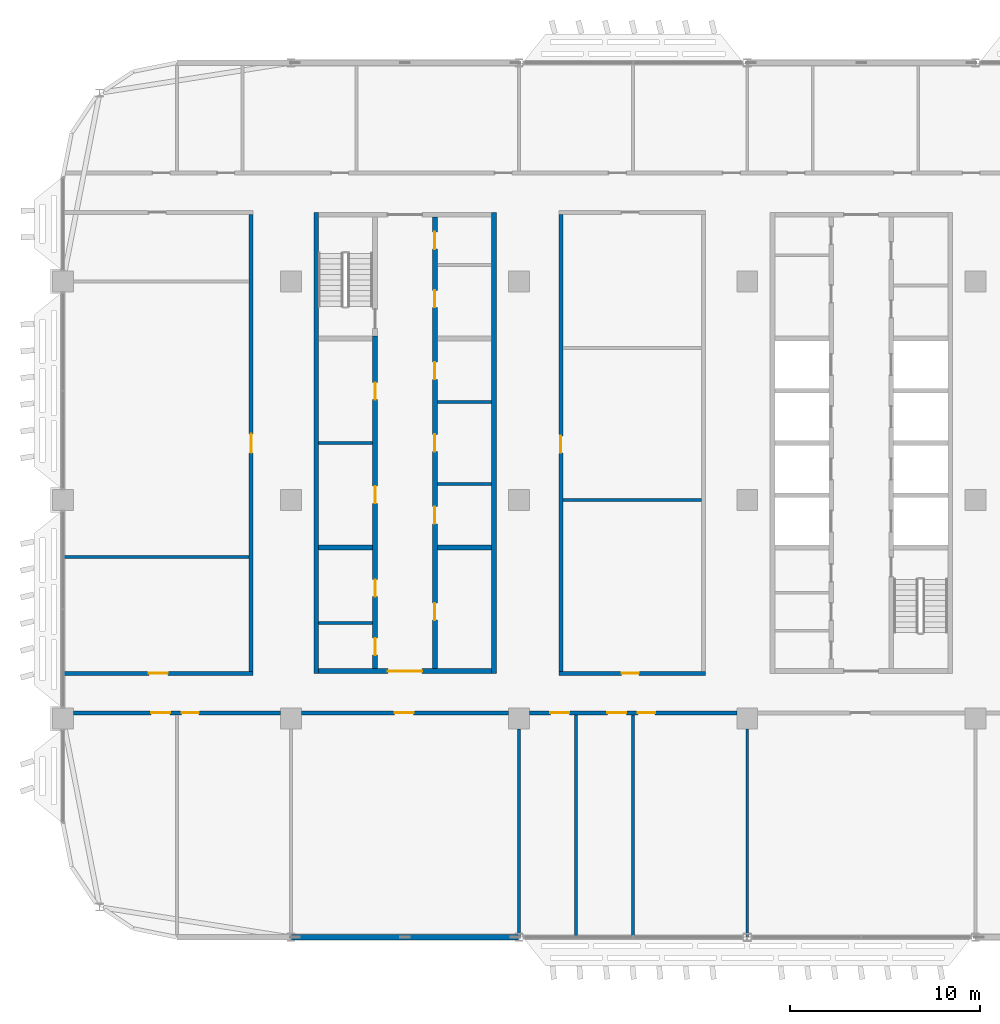
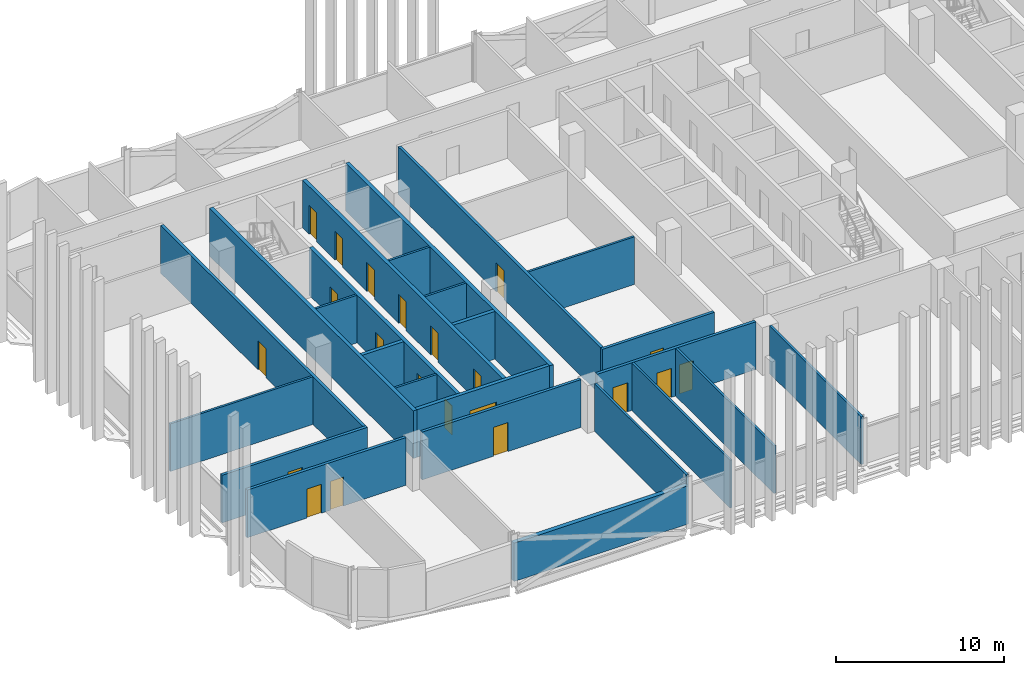
# One storey, part 13 of 30: 25 walls, 21 doors, 21 openings.
"""IFC4 building model written with IfcOpenShell, lengths in metres."""

from ifc_helpers import new_model, si_unit, direction, frame, frame_2d, origin, place, context, subcontext, project, spatial, rectangle, extrude, material, layer, layer_set, type_object, element, fill, save


model = new_model("IFC4")

# Units and contexts
model_context = context("Model", 3, precision=1e-05, world=origin(), true_north=direction((0.0, 1.0)))
body_context = subcontext(model_context, "Body", "Model", "MODEL_VIEW")
ifc_project = project(units=[si_unit("LENGTHUNIT", "METRE"), si_unit("AREAUNIT", "SQUARE_METRE"), si_unit("VOLUMEUNIT", "CUBIC_METRE"), si_unit("PLANEANGLEUNIT", "RADIAN"), si_unit("MASSUNIT", "GRAM", prefix="KILO")], contexts=[model_context])

# Site, building, storey
site_placement = place(None, origin())
site = spatial("IfcSite", under=ifc_project, at=site_placement, CompositionType="ELEMENT")
building_placement = place(site_placement, origin())
building = spatial("IfcBuilding", under=site, at=building_placement, Name="Mahtab Terrace Research Tower", CompositionType="ELEMENT")
storey_placement = place(building_placement, frame((0.0, 0.0, 209.10009765625)))
storey = spatial("IfcBuildingStorey", under=building, at=storey_placement, Name="L50", CompositionType="ELEMENT", Elevation=209.10009765625)

# Walls
ifc_material_1 = material(Name="Gypsum board partition")
ifc_layer_1 = layer(ifc_material_1, 0.14990234375)
ifc_layer_set_1 = layer_set([ifc_layer_1], Name="Core partition 150")
wall_type_1 = type_object("IfcWallType", Name="Core partition 150", PredefinedType="PARTITIONING", material=ifc_layer_set_1)
for number, where, z_axis, x_axis, name in (
    (1, (-28.550048828125, 3.0, 0.0), (0.0, 0.0, 1.0), (1.0, 0.0, 0.0), "Core wall A pWL0"),
    (2, (-22.300048828125, 0.85009765625, 0.0), (0.0, 0.0, 1.0), (1.0, 0.0, 0.0), "Core wall A pEL-215"),
    (3, (-22.300048828125, 5.14990234375, 0.0), (0.0, 0.0, 1.0), (1.0, 0.0, 0.0), "Core wall A pEL215"),
    (4, (-28.550048828125, -6.47509765625, 0.0), (0.0, 0.0, 1.0), (1.0, 0.0, 0.0), "Core wall A pWS-948"),
):
    element("IfcWall", number, at=place(storey_placement, frame(where, z_axis=z_axis, x_axis=x_axis)), inside=storey, type_object=wall_type_1, Name=name, PredefinedType="PARTITIONING", context=body_context, shape_type="SweptSolid", body=[
        extrude(rectangle(XDim=2.85009765625, YDim=0.14990234375, at=frame_2d((1.425048828125, 0.0))), origin(), (0.0, 0.0, 1.0), 3.4599609375),
    ])
ifc_material_2 = material(Name="Concrete C70/85", Category="concrete")
ifc_layer_2 = layer(ifc_material_2, 0.25)
ifc_layer_set_2 = layer_set([ifc_layer_2], Name="Core wall 250")
wall_type_2 = type_object("IfcWallType", Name="Core wall 250", PredefinedType="SOLIDWALL", material=ifc_layer_set_2)
for number, where, z_axis, x_axis, name in (
    (5, (-28.675048828125, 15.125, 0.0), (0.0, 0.0, 1.0), (0.0, -1.0, 0.0), "Core wall A outerW"),
    (6, (-19.324951171875, -9.125, 0.0), (0.0, 0.0, 1.0), (0.0, 1.0, 0.0), "Core wall A outerE"),
):
    element("IfcWall", number, at=place(storey_placement, frame(where, z_axis=z_axis, x_axis=x_axis)), inside=storey, type_object=wall_type_2, Name=name, PredefinedType="SOLIDWALL", context=body_context, shape_type="SweptSolid", body=[
        extrude(rectangle(XDim=24.25, YDim=0.25, at=frame_2d((12.125, 0.0))), origin(), (0.0, 0.0, 1.0), 3.4599609375),
    ])

# Wall, opening, door
wall_1_placement = place(storey_placement, frame((-19.449951171875, -9.0, 0.0), z_axis=(0.0, 0.0, 1.0), x_axis=(-1.0, 0.0, 0.0)))
wall_1 = element("IfcWall", 7, at=wall_1_placement, inside=storey, type_object=wall_type_2, Name="Core wall A endS", PredefinedType="SOLIDWALL", context=body_context, shape_type="SweptSolid", body=[
    extrude(rectangle(XDim=9.10009765625, YDim=0.25, at=frame_2d((4.550048828125, 0.0))), origin(), (0.0, 0.0, 1.0), 3.4599609375),
])
opening_1_placement = place(wall_1_placement, frame((3.64990234375, 0.0, 0.0)))
opening_1 = element("IfcOpeningElement", 8, at=opening_1_placement, cuts=wall_1, Name="Opening A-S1", PredefinedType="OPENING", context=body_context, shape_type="SweptSolid", body=[
    extrude(rectangle(XDim=1.800048828125, YDim=2.10009765625, at=frame_2d((0.89990234375, 1.050048828125))), frame((0.0, 0.135009765625, 0.0), z_axis=(0.0, -1.0, 0.0), x_axis=(1.0, 0.0, 0.0)), (0.0, 0.0, 1.0), 0.27001953125),
])
ifc_material_3 = material(Name="Steel fire door", Category="steel")
door_type_1 = type_object("IfcDoorType", Name="Lobby double door 1800x2100 1 HR", OperationType="DOUBLE_DOOR_SINGLE_SWING", PredefinedType="DOOR", material=ifc_material_3)
door_1_placement = place(opening_1_placement, origin())
door_1 = element("IfcDoor", 9, at=door_1_placement, inside=storey, type_object=door_type_1, Name="Core entrance door A S", OperationType="DOUBLE_DOOR_SINGLE_SWING", OverallHeight=2.10009765625, OverallWidth=1.800048828125, PredefinedType="DOOR", context=body_context, shape_type="SweptSolid", body=[
    extrude(rectangle(XDim=1.800048828125, YDim=2.10009765625, at=frame_2d((0.89990234375, 1.050048828125))), frame((0.0, 0.02490234375, 0.0), z_axis=(0.0, -1.0, 0.0), x_axis=(1.0, 0.0, 0.0)), (0.0, 0.0, 1.0), 0.050048828125),
])
fill(opening_1, door_1)

# Wall, openings, doors
wall_2_placement = place(storey_placement, frame((-25.574951171875, -8.875, 0.0), z_axis=(0.0, 0.0, 1.0), x_axis=(0.0, 1.0, 0.0)))
wall_2 = element("IfcWall", 10, at=wall_2_placement, inside=storey, type_object=wall_type_2, Name="Core wall A innerWSL", PredefinedType="SOLIDWALL", context=body_context, shape_type="SweptSolid", body=[
    extrude(rectangle(XDim=17.5, YDim=0.25, at=frame_2d((8.75, 0.0))), origin(), (0.0, 0.0, 1.0), 3.4599609375),
])
opening_2_placement = place(wall_2_placement, frame((8.699951171875, 0.0, 0.0)))
opening_2 = element("IfcOpeningElement", 11, at=opening_2_placement, cuts=wall_2, Name="Opening A-R1", PredefinedType="OPENING", context=body_context, shape_type="SweptSolid", body=[
    extrude(rectangle(XDim=0.89990234375, YDim=2.10009765625, at=frame_2d((0.449951171875, 1.050048828125))), frame((0.0, 0.135009765625, 0.0), z_axis=(0.0, -1.0, 0.0), x_axis=(1.0, 0.0, 0.0)), (0.0, 0.0, 1.0), 0.27001953125),
])
opening_3_placement = place(wall_2_placement, frame((14.14990234375, 0.0, 0.0)))
opening_3 = element("IfcOpeningElement", 12, at=opening_3_placement, cuts=wall_2, Name="Opening A-R2", PredefinedType="OPENING", context=body_context, shape_type="SweptSolid", body=[
    extrude(rectangle(XDim=0.89990234375, YDim=2.10009765625, at=frame_2d((0.449951171875, 1.050048828125))), frame((0.0, 0.135009765625, 0.0), z_axis=(0.0, -1.0, 0.0), x_axis=(1.0, 0.0, 0.0)), (0.0, 0.0, 1.0), 0.27001953125),
])
opening_4_placement = place(wall_2_placement, frame((0.71240234375, 0.0, 0.0)))
opening_4 = element("IfcOpeningElement", 13, at=opening_4_placement, cuts=wall_2, Name="Opening A-R6", PredefinedType="OPENING", context=body_context, shape_type="SweptSolid", body=[
    extrude(rectangle(XDim=0.89990234375, YDim=2.10009765625, at=frame_2d((0.449951171875, 1.050048828125))), frame((0.0, 0.135009765625, 0.0), z_axis=(0.0, -1.0, 0.0), x_axis=(1.0, 0.0, 0.0)), (0.0, 0.0, 1.0), 0.27001953125),
])
opening_5_placement = place(wall_2_placement, frame((3.78759765625, 0.0, 0.0)))
opening_5 = element("IfcOpeningElement", 14, at=opening_5_placement, cuts=wall_2, Name="Opening A-R7", PredefinedType="OPENING", context=body_context, shape_type="SweptSolid", body=[
    extrude(rectangle(XDim=0.89990234375, YDim=2.10009765625, at=frame_2d((0.449951171875, 1.050048828125))), frame((0.0, 0.135009765625, 0.0), z_axis=(0.0, -1.0, 0.0), x_axis=(1.0, 0.0, 0.0)), (0.0, 0.0, 1.0), 0.27001953125),
])
door_type_2 = type_object("IfcDoorType", Name="Room door 900x2100 1 HR", OperationType="NOTDEFINED", PredefinedType="DOOR", material=ifc_material_3)
door_2_placement = place(opening_2_placement, origin())
door_2 = element("IfcDoor", 15, at=door_2_placement, inside=storey, type_object=door_type_2, Name="Document store door", OperationType="SINGLE_SWING_LEFT", OverallHeight=2.10009765625, OverallWidth=0.89990234375, PredefinedType="DOOR", context=body_context, shape_type="SweptSolid", body=[
    extrude(rectangle(XDim=0.89990234375, YDim=2.10009765625, at=frame_2d((0.449951171875, 1.050048828125))), frame((0.0, 0.02490234375, 0.0), z_axis=(0.0, -1.0, 0.0), x_axis=(1.0, 0.0, 0.0)), (0.0, 0.0, 1.0), 0.050048828125),
])
fill(opening_2, door_2)
door_3_placement = place(opening_3_placement, origin())
door_3 = element("IfcDoor", 16, at=door_3_placement, inside=storey, type_object=door_type_2, Name="IT equipment room door", OperationType="SINGLE_SWING_RIGHT", OverallHeight=2.10009765625, OverallWidth=0.89990234375, PredefinedType="DOOR", context=body_context, shape_type="SweptSolid", body=[
    extrude(rectangle(XDim=0.89990234375, YDim=2.10009765625, at=frame_2d((0.449951171875, 1.050048828125))), frame((0.0, 0.02490234375, 0.0), z_axis=(0.0, -1.0, 0.0), x_axis=(1.0, 0.0, 0.0)), (0.0, 0.0, 1.0), 0.050048828125),
])
fill(opening_3, door_3)
door_4_placement = place(opening_4_placement, origin())
door_4 = element("IfcDoor", 17, at=door_4_placement, inside=storey, type_object=door_type_2, Name="Accessible WC door", OperationType="SINGLE_SWING_RIGHT", OverallHeight=2.10009765625, OverallWidth=0.89990234375, PredefinedType="DOOR", context=body_context, shape_type="SweptSolid", body=[
    extrude(rectangle(XDim=0.89990234375, YDim=2.10009765625, at=frame_2d((0.449951171875, 1.050048828125))), frame((0.0, 0.02490234375, 0.0), z_axis=(0.0, -1.0, 0.0), x_axis=(1.0, 0.0, 0.0)), (0.0, 0.0, 1.0), 0.050048828125),
])
fill(opening_4, door_4)
door_5_placement = place(opening_5_placement, origin())
door_5 = element("IfcDoor", 18, at=door_5_placement, inside=storey, type_object=door_type_2, Name="WC block door", OperationType="SINGLE_SWING_LEFT", OverallHeight=2.10009765625, OverallWidth=0.89990234375, PredefinedType="DOOR", context=body_context, shape_type="SweptSolid", body=[
    extrude(rectangle(XDim=0.89990234375, YDim=2.10009765625, at=frame_2d((0.449951171875, 1.050048828125))), frame((0.0, 0.02490234375, 0.0), z_axis=(0.0, -1.0, 0.0), x_axis=(1.0, 0.0, 0.0)), (0.0, 0.0, 1.0), 0.050048828125),
])
fill(opening_5, door_5)

wall_3_placement = place(storey_placement, frame((-22.425048828125, 14.875, 0.0), z_axis=(0.0, 0.0, 1.0), x_axis=(0.0, -1.0, 0.0)))
wall_3 = element("IfcWall", 19, at=wall_3_placement, inside=storey, type_object=wall_type_2, Name="Core wall A innerESLN", PredefinedType="SOLIDWALL", context=body_context, shape_type="SweptSolid", body=[
    extrude(rectangle(XDim=23.75, YDim=0.25, at=frame_2d((11.875, 0.0))), origin(), (0.0, 0.0, 1.0), 3.4599609375),
])
opening_6_placement = place(wall_3_placement, frame((15.22509765625, 0.0, 0.0)))
opening_6 = element("IfcOpeningElement", 20, at=opening_6_placement, cuts=wall_3, Name="Opening A-R3", PredefinedType="OPENING", context=body_context, shape_type="SweptSolid", body=[
    extrude(rectangle(XDim=0.89990234375, YDim=2.10009765625, at=frame_2d((0.449951171875, 1.050048828125))), frame((0.0, 0.135009765625, 0.0), z_axis=(0.0, -1.0, 0.0), x_axis=(1.0, 0.0, 0.0)), (0.0, 0.0, 1.0), 0.27001953125),
])
opening_7_placement = place(wall_3_placement, frame((11.425048828125, 0.0, 0.0)))
opening_7 = element("IfcOpeningElement", 21, at=opening_7_placement, cuts=wall_3, Name="Opening A-R4", PredefinedType="OPENING", context=body_context, shape_type="SweptSolid", body=[
    extrude(rectangle(XDim=0.89990234375, YDim=2.10009765625, at=frame_2d((0.449951171875, 1.050048828125))), frame((0.0, 0.135009765625, 0.0), z_axis=(0.0, -1.0, 0.0), x_axis=(1.0, 0.0, 0.0)), (0.0, 0.0, 1.0), 0.27001953125),
])
opening_8_placement = place(wall_3_placement, frame((7.625, 0.0, 0.0)))
opening_8 = element("IfcOpeningElement", 22, at=opening_8_placement, cuts=wall_3, Name="Opening A-R5", PredefinedType="OPENING", context=body_context, shape_type="SweptSolid", body=[
    extrude(rectangle(XDim=0.89990234375, YDim=2.10009765625, at=frame_2d((0.449951171875, 1.050048828125))), frame((0.0, 0.135009765625, 0.0), z_axis=(0.0, -1.0, 0.0), x_axis=(1.0, 0.0, 0.0)), (0.0, 0.0, 1.0), 0.27001953125),
])
opening_9_placement = place(wall_3_placement, frame((20.300048828125, 0.0, 0.0)))
opening_9 = element("IfcOpeningElement", 23, at=opening_9_placement, cuts=wall_3, Name="Opening A-R8", PredefinedType="OPENING", context=body_context, shape_type="SweptSolid", body=[
    extrude(rectangle(XDim=0.89990234375, YDim=2.10009765625, at=frame_2d((0.449951171875, 1.050048828125))), frame((0.0, 0.135009765625, 0.0), z_axis=(0.0, -1.0, 0.0), x_axis=(1.0, 0.0, 0.0)), (0.0, 0.0, 1.0), 0.27001953125),
])
opening_10_placement = place(wall_3_placement, frame((3.847412109375, 0.0, 0.0)))
opening_10 = element("IfcOpeningElement", 24, at=opening_10_placement, cuts=wall_3, Name="Opening A-R9", PredefinedType="OPENING", context=body_context, shape_type="SweptSolid", body=[
    extrude(rectangle(XDim=0.89990234375, YDim=2.10009765625, at=frame_2d((0.449951171875, 1.050048828125))), frame((0.0, 0.135009765625, 0.0), z_axis=(0.0, -1.0, 0.0), x_axis=(1.0, 0.0, 0.0)), (0.0, 0.0, 1.0), 0.27001953125),
])
opening_11_placement = place(wall_3_placement, frame((0.7724609375, 0.0, 0.0)))
opening_11 = element("IfcOpeningElement", 25, at=opening_11_placement, cuts=wall_3, Name="Opening A-R10", PredefinedType="OPENING", context=body_context, shape_type="SweptSolid", body=[
    extrude(rectangle(XDim=0.89990234375, YDim=2.10009765625, at=frame_2d((0.449951171875, 1.050048828125))), frame((0.0, 0.135009765625, 0.0), z_axis=(0.0, -1.0, 0.0), x_axis=(1.0, 0.0, 0.0)), (0.0, 0.0, 1.0), 0.27001953125),
])
door_6_placement = place(opening_6_placement, origin())
door_6 = element("IfcDoor", 26, at=door_6_placement, inside=storey, type_object=door_type_2, Name="Electrical room door", OperationType="SINGLE_SWING_LEFT", OverallHeight=2.10009765625, OverallWidth=0.89990234375, PredefinedType="DOOR", context=body_context, shape_type="SweptSolid", body=[
    extrude(rectangle(XDim=0.89990234375, YDim=2.10009765625, at=frame_2d((0.449951171875, 1.050048828125))), frame((0.0, 0.02490234375, 0.0), z_axis=(0.0, -1.0, 0.0), x_axis=(1.0, 0.0, 0.0)), (0.0, 0.0, 1.0), 0.050048828125),
])
fill(opening_6, door_6)
door_7_placement = place(opening_7_placement, origin())
door_7 = element("IfcDoor", 27, at=door_7_placement, inside=storey, type_object=door_type_2, Name="Pantry door", OperationType="SINGLE_SWING_RIGHT", OverallHeight=2.10009765625, OverallWidth=0.89990234375, PredefinedType="DOOR", context=body_context, shape_type="SweptSolid", body=[
    extrude(rectangle(XDim=0.89990234375, YDim=2.10009765625, at=frame_2d((0.449951171875, 1.050048828125))), frame((0.0, 0.02490234375, 0.0), z_axis=(0.0, -1.0, 0.0), x_axis=(1.0, 0.0, 0.0)), (0.0, 0.0, 1.0), 0.050048828125),
])
fill(opening_7, door_7)
door_8_placement = place(opening_8_placement, origin())
door_8 = element("IfcDoor", 28, at=door_8_placement, inside=storey, type_object=door_type_2, Name="Housekeeping store door", OperationType="SINGLE_SWING_LEFT", OverallHeight=2.10009765625, OverallWidth=0.89990234375, PredefinedType="DOOR", context=body_context, shape_type="SweptSolid", body=[
    extrude(rectangle(XDim=0.89990234375, YDim=2.10009765625, at=frame_2d((0.449951171875, 1.050048828125))), frame((0.0, 0.02490234375, 0.0), z_axis=(0.0, -1.0, 0.0), x_axis=(1.0, 0.0, 0.0)), (0.0, 0.0, 1.0), 0.050048828125),
])
fill(opening_8, door_8)
door_9_placement = place(opening_9_placement, origin())
door_9 = element("IfcDoor", 29, at=door_9_placement, inside=storey, type_object=door_type_2, Name="Gas cylinder store door", OperationType="SINGLE_SWING_RIGHT", OverallHeight=2.10009765625, OverallWidth=0.89990234375, PredefinedType="DOOR", context=body_context, shape_type="SweptSolid", body=[
    extrude(rectangle(XDim=0.89990234375, YDim=2.10009765625, at=frame_2d((0.449951171875, 1.050048828125))), frame((0.0, 0.02490234375, 0.0), z_axis=(0.0, -1.0, 0.0), x_axis=(1.0, 0.0, 0.0)), (0.0, 0.0, 1.0), 0.050048828125),
])
fill(opening_9, door_9)
door_10_placement = place(opening_10_placement, origin())
door_10 = element("IfcDoor", 30, at=door_10_placement, inside=storey, type_object=door_type_2, Name="Pantry door", OperationType="SINGLE_SWING_LEFT", OverallHeight=2.10009765625, OverallWidth=0.89990234375, PredefinedType="DOOR", context=body_context, shape_type="SweptSolid", body=[
    extrude(rectangle(XDim=0.89990234375, YDim=2.10009765625, at=frame_2d((0.449951171875, 1.050048828125))), frame((0.0, 0.02490234375, 0.0), z_axis=(0.0, -1.0, 0.0), x_axis=(1.0, 0.0, 0.0)), (0.0, 0.0, 1.0), 0.050048828125),
])
fill(opening_10, door_10)
door_11_placement = place(opening_11_placement, origin())
door_11 = element("IfcDoor", 31, at=door_11_placement, inside=storey, type_object=door_type_2, Name="Linen store door", OperationType="SINGLE_SWING_RIGHT", OverallHeight=2.10009765625, OverallWidth=0.89990234375, PredefinedType="DOOR", context=body_context, shape_type="SweptSolid", body=[
    extrude(rectangle(XDim=0.89990234375, YDim=2.10009765625, at=frame_2d((0.449951171875, 1.050048828125))), frame((0.0, 0.02490234375, 0.0), z_axis=(0.0, -1.0, 0.0), x_axis=(1.0, 0.0, 0.0)), (0.0, 0.0, 1.0), 0.050048828125),
])
fill(opening_11, door_11)

# Walls
for number, where, z_axis, x_axis, name in (
    (32, (-28.550048828125, -2.5, 0.0), (0.0, 0.0, 1.0), (1.0, 0.0, 0.0), "Core wall A divW0"),
    (33, (-22.300048828125, -2.5, 0.0), (0.0, 0.0, 1.0), (1.0, 0.0, 0.0), "Core wall A divE0"),
):
    element("IfcWall", number, at=place(storey_placement, frame(where, z_axis=z_axis, x_axis=x_axis)), inside=storey, type_object=wall_type_2, Name=name, PredefinedType="SOLIDWALL", context=body_context, shape_type="SweptSolid", body=[
        extrude(rectangle(XDim=2.85009765625, YDim=0.25, at=frame_2d((1.425048828125, 0.0))), origin(), (0.0, 0.0, 1.0), 3.4599609375),
    ])
ifc_material_4 = material(Name="Black aluminium cladding panel", Category="aluminium")
ifc_layer_3 = layer(ifc_material_4, 0.300048828125)
ifc_layer_set_3 = layer_set([ifc_layer_3], Name="Opaque facade wall 300")
wall_type_3 = type_object("IfcWallType", Name="Opaque facade wall 300", PredefinedType="NOTDEFINED", material=ifc_layer_set_3)
wall_4_placement = place(storey_placement, frame((-29.987548828125, -23.0, 0.0), z_axis=(0.0, 0.0, 1.0), x_axis=(1.0, 0.0, 0.0)))
element("IfcWall", 34, at=wall_4_placement, inside=storey, type_object=wall_type_3, Name="Opaque facade wall L50 S24", PredefinedType="NOTDEFINED", context=body_context, shape_type="SweptSolid", body=[
    extrude(rectangle(XDim=11.97509765625, YDim=0.300048828125, at=frame_2d((5.987548828125, 0.0))), origin(), (0.0, 0.0, 1.0), 2.78173828125),
])

# Wall, openings, doors
ifc_material_5 = material(Name="Gypsum board corridor wall on steel studs", Category="steel")
ifc_layer_4 = layer(ifc_material_5, 0.199951171875)
ifc_layer_set_4 = layer_set([ifc_layer_4], Name="WALL CORRIDOR 200")
wall_type_4 = type_object("IfcWallType", Name="WALL CORRIDOR 200", PredefinedType="PARTITIONING", material=ifc_layer_set_4)
wall_5_placement = place(storey_placement, frame((-41.449951171875, -11.199951171875, 0.0), z_axis=(0.0, 0.0, 1.0), x_axis=(1.0, 0.0, 0.0)))
wall_5 = element("IfcWall", 35, at=wall_5_placement, inside=storey, type_object=wall_type_4, Name="L50-W001", PredefinedType="PARTITIONING", context=body_context, shape_type="SweptSolid", body=[
    extrude(rectangle(XDim=10.89990234375, YDim=0.199951171875, at=frame_2d((5.449951171875, 0.0))), origin(), (0.0, 0.0, 1.0), 3.4599609375),
])
opening_12_placement = place(wall_5_placement, frame((4.10009765625, 0.0, 0.0)))
opening_12 = element("IfcOpeningElement", 36, at=opening_12_placement, cuts=wall_5, Name="Opening L50-101", PredefinedType="OPENING", context=body_context, shape_type="SweptSolid", body=[
    extrude(rectangle(XDim=1.0, YDim=2.10009765625, at=frame_2d((0.5, 1.050048828125))), frame((0.0, 0.10986328125, 0.0), z_axis=(0.0, -1.0, 0.0), x_axis=(1.0, 0.0, 0.0)), (0.0, 0.0, 1.0), 0.219970703125),
])
opening_13_placement = place(wall_5_placement, frame((5.699951171875, 0.0, 0.0)))
opening_13 = element("IfcOpeningElement", 37, at=opening_13_placement, cuts=wall_5, Name="Opening L50-102", PredefinedType="OPENING", context=body_context, shape_type="SweptSolid", body=[
    extrude(rectangle(XDim=0.89990234375, YDim=2.10009765625, at=frame_2d((0.449951171875, 1.050048828125))), frame((0.0, 0.10986328125, 0.0), z_axis=(0.0, -1.0, 0.0), x_axis=(1.0, 0.0, 0.0)), (0.0, 0.0, 1.0), 0.219970703125),
])
ifc_material_6 = material(Name="Timber door leaf in steel frame", Category="steel")
door_type_3 = type_object("IfcDoorType", Name="DOOR 0900X2100 FD30S", OperationType="SINGLE_SWING_LEFT", PredefinedType="DOOR", material=ifc_material_6)
door_12_placement = place(opening_13_placement, origin())
door_12 = element("IfcDoor", 38, at=door_12_placement, inside=storey, type_object=door_type_3, Name="Door L50-102", OperationType="SINGLE_SWING_LEFT", OverallHeight=2.10009765625, OverallWidth=0.89990234375, PredefinedType="DOOR", context=body_context, shape_type="SweptSolid", body=[
    extrude(rectangle(XDim=0.89990234375, YDim=2.10009765625, at=frame_2d((0.449951171875, 1.050048828125))), frame((0.0, 0.02490234375, 0.0), z_axis=(0.0, -1.0, 0.0), x_axis=(1.0, 0.0, 0.0)), (0.0, 0.0, 1.0), 0.050048828125),
])
fill(opening_13, door_12)
door_type_4 = type_object("IfcDoorType", Name="DOOR 1000X2100 FD30S", OperationType="SINGLE_SWING_LEFT", PredefinedType="DOOR", material=ifc_material_6)
door_13_placement = place(opening_12_placement, origin())
door_13 = element("IfcDoor", 39, at=door_13_placement, inside=storey, type_object=door_type_4, Name="Door L50-101", OperationType="SINGLE_SWING_RIGHT", OverallHeight=2.10009765625, OverallWidth=1.0, PredefinedType="DOOR", context=body_context, shape_type="SweptSolid", body=[
    extrude(rectangle(XDim=1.0, YDim=2.10009765625, at=frame_2d((0.5, 1.050048828125))), frame((0.0, 0.02490234375, 0.0), z_axis=(0.0, -1.0, 0.0), x_axis=(1.0, 0.0, 0.0)), (0.0, 0.0, 1.0), 0.050048828125),
])
fill(opening_12, door_13)

# Wall, opening, door
wall_6_placement = place(storey_placement, frame((-29.449951171875, -11.199951171875, 0.0), z_axis=(0.0, 0.0, 1.0), x_axis=(1.0, 0.0, 0.0)))
wall_6 = element("IfcWall", 40, at=wall_6_placement, inside=storey, type_object=wall_type_4, Name="L50-W002", PredefinedType="PARTITIONING", context=body_context, shape_type="SweptSolid", body=[
    extrude(rectangle(XDim=10.89990234375, YDim=0.199951171875, at=frame_2d((5.449951171875, 0.0))), origin(), (0.0, 0.0, 1.0), 3.4599609375),
])
opening_14_placement = place(wall_6_placement, frame((4.89990234375, 0.0, 0.0)))
opening_14 = element("IfcOpeningElement", 41, at=opening_14_placement, cuts=wall_6, Name="Opening L50-103", PredefinedType="OPENING", context=body_context, shape_type="SweptSolid", body=[
    extrude(rectangle(XDim=1.0, YDim=2.10009765625, at=frame_2d((0.5, 1.050048828125))), frame((0.0, 0.10986328125, 0.0), z_axis=(0.0, -1.0, 0.0), x_axis=(1.0, 0.0, 0.0)), (0.0, 0.0, 1.0), 0.219970703125),
])
door_14_placement = place(opening_14_placement, origin())
door_14 = element("IfcDoor", 42, at=door_14_placement, inside=storey, type_object=door_type_4, Name="Door L50-103", OperationType="SINGLE_SWING_RIGHT", OverallHeight=2.10009765625, OverallWidth=1.0, PredefinedType="DOOR", context=body_context, shape_type="SweptSolid", body=[
    extrude(rectangle(XDim=1.0, YDim=2.10009765625, at=frame_2d((0.5, 1.050048828125))), frame((0.0, 0.02490234375, 0.0), z_axis=(0.0, -1.0, 0.0), x_axis=(1.0, 0.0, 0.0)), (0.0, 0.0, 1.0), 0.050048828125),
])
fill(opening_14, door_14)

# Wall, openings, doors
wall_7_placement = place(storey_placement, frame((-17.449951171875, -11.199951171875, 0.0), z_axis=(0.0, 0.0, 1.0), x_axis=(1.0, 0.0, 0.0)))
wall_7 = element("IfcWall", 43, at=wall_7_placement, inside=storey, type_object=wall_type_4, Name="L50-W003", PredefinedType="PARTITIONING", context=body_context, shape_type="SweptSolid", body=[
    extrude(rectangle(XDim=10.89990234375, YDim=0.199951171875, at=frame_2d((5.449951171875, 0.0))), origin(), (0.0, 0.0, 1.0), 3.4599609375),
])
opening_15_placement = place(wall_7_placement, frame((1.10009765625, 0.0, 0.0)))
opening_15 = element("IfcOpeningElement", 44, at=opening_15_placement, cuts=wall_7, Name="Opening L50-104", PredefinedType="OPENING", context=body_context, shape_type="SweptSolid", body=[
    extrude(rectangle(XDim=1.0, YDim=2.10009765625, at=frame_2d((0.5, 1.050048828125))), frame((0.0, 0.10986328125, 0.0), z_axis=(0.0, -1.0, 0.0), x_axis=(1.0, 0.0, 0.0)), (0.0, 0.0, 1.0), 0.219970703125),
])
opening_16_placement = place(wall_7_placement, frame((4.10009765625, 0.0, 0.0)))
opening_16 = element("IfcOpeningElement", 45, at=opening_16_placement, cuts=wall_7, Name="Opening L50-105", PredefinedType="OPENING", context=body_context, shape_type="SweptSolid", body=[
    extrude(rectangle(XDim=1.0, YDim=2.10009765625, at=frame_2d((0.5, 1.050048828125))), frame((0.0, 0.10986328125, 0.0), z_axis=(0.0, -1.0, 0.0), x_axis=(1.0, 0.0, 0.0)), (0.0, 0.0, 1.0), 0.219970703125),
])
opening_17_placement = place(wall_7_placement, frame((5.699951171875, 0.0, 0.0)))
opening_17 = element("IfcOpeningElement", 46, at=opening_17_placement, cuts=wall_7, Name="Opening L50-106", PredefinedType="OPENING", context=body_context, shape_type="SweptSolid", body=[
    extrude(rectangle(XDim=0.89990234375, YDim=2.10009765625, at=frame_2d((0.449951171875, 1.050048828125))), frame((0.0, 0.10986328125, 0.0), z_axis=(0.0, -1.0, 0.0), x_axis=(1.0, 0.0, 0.0)), (0.0, 0.0, 1.0), 0.219970703125),
])
door_15_placement = place(opening_17_placement, origin())
door_15 = element("IfcDoor", 47, at=door_15_placement, inside=storey, type_object=door_type_3, Name="Door L50-106", OperationType="SINGLE_SWING_LEFT", OverallHeight=2.10009765625, OverallWidth=0.89990234375, PredefinedType="DOOR", context=body_context, shape_type="SweptSolid", body=[
    extrude(rectangle(XDim=0.89990234375, YDim=2.10009765625, at=frame_2d((0.449951171875, 1.050048828125))), frame((0.0, 0.02490234375, 0.0), z_axis=(0.0, -1.0, 0.0), x_axis=(1.0, 0.0, 0.0)), (0.0, 0.0, 1.0), 0.050048828125),
])
fill(opening_17, door_15)
door_16_placement = place(opening_15_placement, origin())
door_16 = element("IfcDoor", 48, at=door_16_placement, inside=storey, type_object=door_type_4, Name="Door L50-104", OperationType="SINGLE_SWING_RIGHT", OverallHeight=2.10009765625, OverallWidth=1.0, PredefinedType="DOOR", context=body_context, shape_type="SweptSolid", body=[
    extrude(rectangle(XDim=1.0, YDim=2.10009765625, at=frame_2d((0.5, 1.050048828125))), frame((0.0, 0.02490234375, 0.0), z_axis=(0.0, -1.0, 0.0), x_axis=(1.0, 0.0, 0.0)), (0.0, 0.0, 1.0), 0.050048828125),
])
fill(opening_15, door_16)
door_17_placement = place(opening_16_placement, origin())
door_17 = element("IfcDoor", 49, at=door_17_placement, inside=storey, type_object=door_type_4, Name="Door L50-105", OperationType="SINGLE_SWING_RIGHT", OverallHeight=2.10009765625, OverallWidth=1.0, PredefinedType="DOOR", context=body_context, shape_type="SweptSolid", body=[
    extrude(rectangle(XDim=1.0, YDim=2.10009765625, at=frame_2d((0.5, 1.050048828125))), frame((0.0, 0.02490234375, 0.0), z_axis=(0.0, -1.0, 0.0), x_axis=(1.0, 0.0, 0.0)), (0.0, 0.0, 1.0), 0.050048828125),
])
fill(opening_16, door_17)

# Wall, opening, door
wall_8_placement = place(storey_placement, frame((-41.97509765625, -9.125, 0.0), z_axis=(0.0, 0.0, 1.0), x_axis=(1.0, 0.0, 0.0)))
wall_8 = element("IfcWall", 50, at=wall_8_placement, inside=storey, type_object=wall_type_4, Name="L50-W009", PredefinedType="PARTITIONING", context=body_context, shape_type="SweptSolid", body=[
    extrude(rectangle(XDim=9.97509765625, YDim=0.199951171875, at=frame_2d((4.987548828125, 0.0))), origin(), (0.0, 0.0, 1.0), 3.4599609375),
])
opening_18_placement = place(wall_8_placement, frame((4.5, 0.0, 0.0)))
opening_18 = element("IfcOpeningElement", 51, at=opening_18_placement, cuts=wall_8, Name="Opening L50-116", PredefinedType="OPENING", context=body_context, shape_type="SweptSolid", body=[
    extrude(rectangle(XDim=1.0, YDim=2.10009765625, at=frame_2d((0.5, 1.050048828125))), frame((0.0, 0.10986328125, 0.0), z_axis=(0.0, -1.0, 0.0), x_axis=(1.0, 0.0, 0.0)), (0.0, 0.0, 1.0), 0.219970703125),
])
door_18_placement = place(opening_18_placement, origin())
door_18 = element("IfcDoor", 52, at=door_18_placement, inside=storey, type_object=door_type_4, Name="Door L50-116", OperationType="SINGLE_SWING_RIGHT", OverallHeight=2.10009765625, OverallWidth=1.0, PredefinedType="DOOR", context=body_context, shape_type="SweptSolid", body=[
    extrude(rectangle(XDim=1.0, YDim=2.10009765625, at=frame_2d((0.5, 1.050048828125))), frame((0.0, 0.02490234375, 0.0), z_axis=(0.0, -1.0, 0.0), x_axis=(1.0, 0.0, 0.0)), (0.0, 0.0, 1.0), 0.050048828125),
])
fill(opening_18, door_18)

wall_9_placement = place(storey_placement, frame((-15.89990234375, -9.125, 0.0), z_axis=(0.0, 0.0, 1.0), x_axis=(1.0, 0.0, 0.0)))
wall_9 = element("IfcWall", 53, at=wall_9_placement, inside=storey, type_object=wall_type_4, Name="L50-W010", PredefinedType="PARTITIONING", context=body_context, shape_type="SweptSolid", body=[
    extrude(rectangle(XDim=7.699951171875, YDim=0.199951171875, at=frame_2d((3.85009765625, 0.0))), origin(), (0.0, 0.0, 1.0), 3.4599609375),
])
opening_19_placement = place(wall_9_placement, frame((3.300048828125, 0.0, 0.0)))
opening_19 = element("IfcOpeningElement", 54, at=opening_19_placement, cuts=wall_9, Name="Opening L50-118", PredefinedType="OPENING", context=body_context, shape_type="SweptSolid", body=[
    extrude(rectangle(XDim=0.89990234375, YDim=2.10009765625, at=frame_2d((0.449951171875, 1.050048828125))), frame((0.0, 0.10986328125, 0.0), z_axis=(0.0, -1.0, 0.0), x_axis=(1.0, 0.0, 0.0)), (0.0, 0.0, 1.0), 0.219970703125),
])
door_19_placement = place(opening_19_placement, origin())
door_19 = element("IfcDoor", 55, at=door_19_placement, inside=storey, type_object=door_type_3, Name="Door L50-118", OperationType="SINGLE_SWING_LEFT", OverallHeight=2.10009765625, OverallWidth=0.89990234375, PredefinedType="DOOR", context=body_context, shape_type="SweptSolid", body=[
    extrude(rectangle(XDim=0.89990234375, YDim=2.10009765625, at=frame_2d((0.449951171875, 1.050048828125))), frame((0.0, 0.02490234375, 0.0), z_axis=(0.0, -1.0, 0.0), x_axis=(1.0, 0.0, 0.0)), (0.0, 0.0, 1.0), 0.050048828125),
])
fill(opening_19, door_19)

wall_10_placement = place(storey_placement, frame((-32.10009765625, -9.02490234375, 0.0), z_axis=(0.0, 0.0, 1.0), x_axis=(0.0, 1.0, 0.0)))
wall_10 = element("IfcWall", 56, at=wall_10_placement, inside=storey, type_object=wall_type_4, Name="L50-W030", PredefinedType="PARTITIONING", context=body_context, shape_type="SweptSolid", body=[
    extrude(rectangle(XDim=24.0498046875, YDim=0.199951171875, at=frame_2d((12.02490234375, 0.0))), origin(), (0.0, 0.0, 1.0), 3.4599609375),
])
opening_20_placement = place(wall_10_placement, frame((11.5, 0.0, 0.0)))
opening_20 = element("IfcOpeningElement", 57, at=opening_20_placement, cuts=wall_10, Name="Opening L50-120", PredefinedType="OPENING", context=body_context, shape_type="SweptSolid", body=[
    extrude(rectangle(XDim=1.0, YDim=2.10009765625, at=frame_2d((0.5, 1.050048828125))), frame((0.0, 0.10986328125, 0.0), z_axis=(0.0, -1.0, 0.0), x_axis=(1.0, 0.0, 0.0)), (0.0, 0.0, 1.0), 0.219970703125),
])
door_20_placement = place(opening_20_placement, origin())
door_20 = element("IfcDoor", 58, at=door_20_placement, inside=storey, type_object=door_type_4, Name="Door L50-120", OperationType="SINGLE_SWING_LEFT", OverallHeight=2.10009765625, OverallWidth=1.0, PredefinedType="DOOR", context=body_context, shape_type="SweptSolid", body=[
    extrude(rectangle(XDim=1.0, YDim=2.10009765625, at=frame_2d((0.5, 1.050048828125))), frame((0.0, 0.02490234375, 0.0), z_axis=(0.0, -1.0, 0.0), x_axis=(1.0, 0.0, 0.0)), (0.0, 0.0, 1.0), 0.050048828125),
])
fill(opening_20, door_20)

wall_11_placement = place(storey_placement, frame((-15.800048828125, -9.02490234375, 0.0), z_axis=(0.0, 0.0, 1.0), x_axis=(0.0, 1.0, 0.0)))
wall_11 = element("IfcWall", 59, at=wall_11_placement, inside=storey, type_object=wall_type_4, Name="L50-W035", PredefinedType="PARTITIONING", context=body_context, shape_type="SweptSolid", body=[
    extrude(rectangle(XDim=24.0498046875, YDim=0.199951171875, at=frame_2d((12.02490234375, 0.0))), origin(), (0.0, 0.0, 1.0), 3.4599609375),
])
opening_21_placement = place(wall_11_placement, frame((11.5, 0.0, 0.0)))
opening_21 = element("IfcOpeningElement", 60, at=opening_21_placement, cuts=wall_11, Name="Opening L50-121", PredefinedType="OPENING", context=body_context, shape_type="SweptSolid", body=[
    extrude(rectangle(XDim=0.89990234375, YDim=2.10009765625, at=frame_2d((0.449951171875, 1.050048828125))), frame((0.0, 0.10986328125, 0.0), z_axis=(0.0, -1.0, 0.0), x_axis=(1.0, 0.0, 0.0)), (0.0, 0.0, 1.0), 0.219970703125),
])
door_21_placement = place(opening_21_placement, origin())
door_21 = element("IfcDoor", 61, at=door_21_placement, inside=storey, type_object=door_type_3, Name="Door L50-121", OperationType="SINGLE_SWING_RIGHT", OverallHeight=2.10009765625, OverallWidth=0.89990234375, PredefinedType="DOOR", context=body_context, shape_type="SweptSolid", body=[
    extrude(rectangle(XDim=0.89990234375, YDim=2.10009765625, at=frame_2d((0.449951171875, 1.050048828125))), frame((0.0, 0.02490234375, 0.0), z_axis=(0.0, -1.0, 0.0), x_axis=(1.0, 0.0, 0.0)), (0.0, 0.0, 1.0), 0.050048828125),
])
fill(opening_21, door_21)

# Walls
ifc_material_7 = material(Name="Gypsum board partition on steel studs", Category="steel")
ifc_layer_5 = layer(ifc_material_7, 0.14990234375)
ifc_layer_set_5 = layer_set([ifc_layer_5], Name="WALL PARTITION 150")
wall_type_5 = type_object("IfcWallType", Name="WALL PARTITION 150", PredefinedType="PARTITIONING", material=ifc_layer_set_5)
wall_12_placement = place(storey_placement, frame((-41.97509765625, -3.0, 0.0), z_axis=(0.0, 0.0, 1.0), x_axis=(1.0, 0.0, 0.0)))
element("IfcWall", 62, at=wall_12_placement, inside=storey, type_object=wall_type_5, Name="L50-W013", PredefinedType="PARTITIONING", context=body_context, shape_type="SweptSolid", body=[
    extrude(rectangle(XDim=9.775146484375, YDim=0.14990234375, at=frame_2d((4.8876953125, 0.0))), origin(), (0.0, 0.0, 1.0), 3.4599609375),
])
wall_13_placement = place(storey_placement, frame((-15.699951171875, 0.0, 0.0), z_axis=(0.0, 0.0, 1.0), x_axis=(1.0, 0.0, 0.0)))
element("IfcWall", 63, at=wall_13_placement, inside=storey, type_object=wall_type_5, Name="L50-W015", PredefinedType="PARTITIONING", context=body_context, shape_type="SweptSolid", body=[
    extrude(rectangle(XDim=7.300048828125, YDim=0.14990234375, at=frame_2d((3.64990234375, 0.0))), origin(), (0.0, 0.0, 1.0), 3.4599609375),
])
wall_14_placement = place(storey_placement, frame((-18.0, -22.97509765625, 0.0), z_axis=(0.0, 0.0, 1.0), x_axis=(0.0, 1.0, 0.0)))
element("IfcWall", 64, at=wall_14_placement, inside=storey, type_object=wall_type_5, Name="L50-W033", PredefinedType="PARTITIONING", context=body_context, shape_type="SweptSolid", body=[
    extrude(rectangle(XDim=10.925048828125, YDim=0.14990234375, at=frame_2d((5.46240234375, 0.0))), origin(), (0.0, 0.0, 1.0), 3.4599609375),
])
for number, where, z_axis, x_axis, name in (
    (65, (-15.0, -22.97509765625, 0.0), (0.0, 0.0, 1.0), (0.0, 1.0, 0.0), "L50-W036"),
    (66, (-12.0, -22.97509765625, 0.0), (0.0, 0.0, 1.0), (0.0, 1.0, 0.0), "L50-W037"),
):
    element("IfcWall", number, at=place(storey_placement, frame(where, z_axis=z_axis, x_axis=x_axis)), inside=storey, type_object=wall_type_5, Name=name, PredefinedType="PARTITIONING", context=body_context, shape_type="SweptSolid", body=[
        extrude(rectangle(XDim=11.675048828125, YDim=0.14990234375, at=frame_2d((5.83740234375, 0.0))), origin(), (0.0, 0.0, 1.0), 3.4599609375),
    ])
wall_15_placement = place(storey_placement, frame((-6.0, -22.97509765625, 0.0), z_axis=(0.0, 0.0, 1.0), x_axis=(0.0, 1.0, 0.0)))
element("IfcWall", 67, at=wall_15_placement, inside=storey, type_object=wall_type_5, Name="L50-W040", PredefinedType="PARTITIONING", context=body_context, shape_type="SweptSolid", body=[
    extrude(rectangle(XDim=10.925048828125, YDim=0.14990234375, at=frame_2d((5.46240234375, 0.0))), origin(), (0.0, 0.0, 1.0), 3.4599609375),
])

save(model, "model.ifc")
